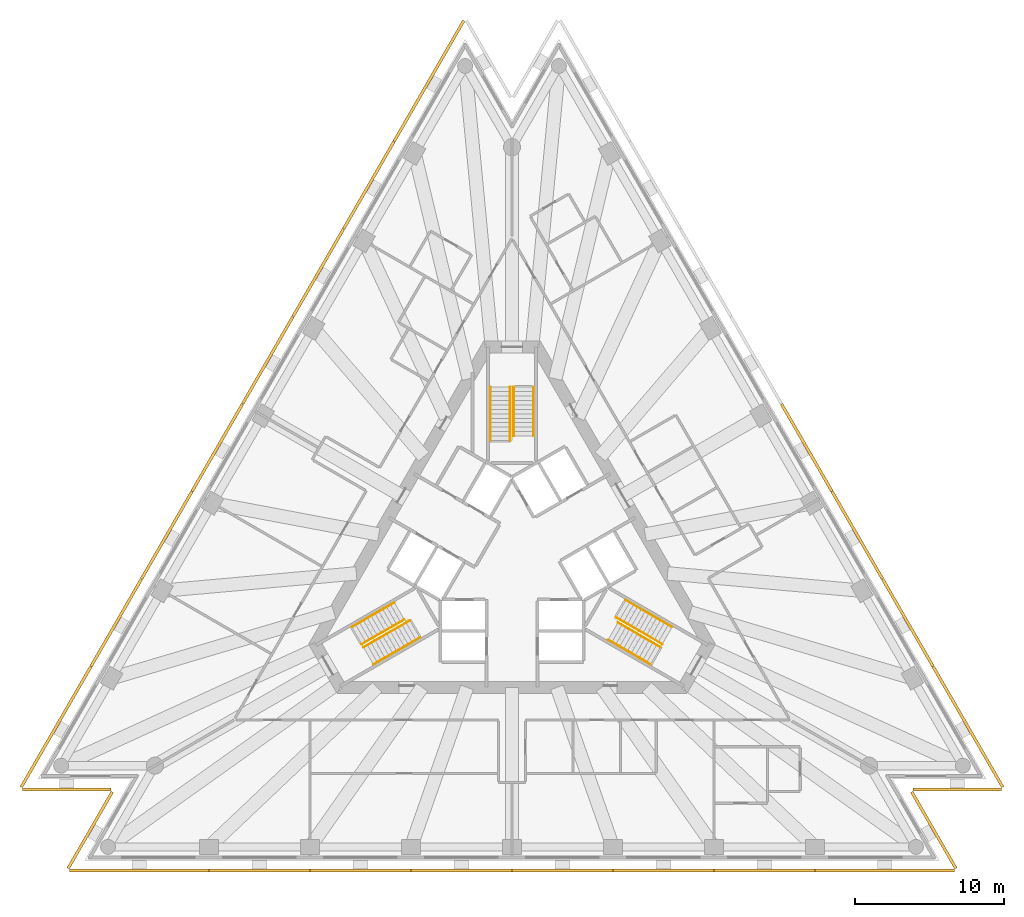
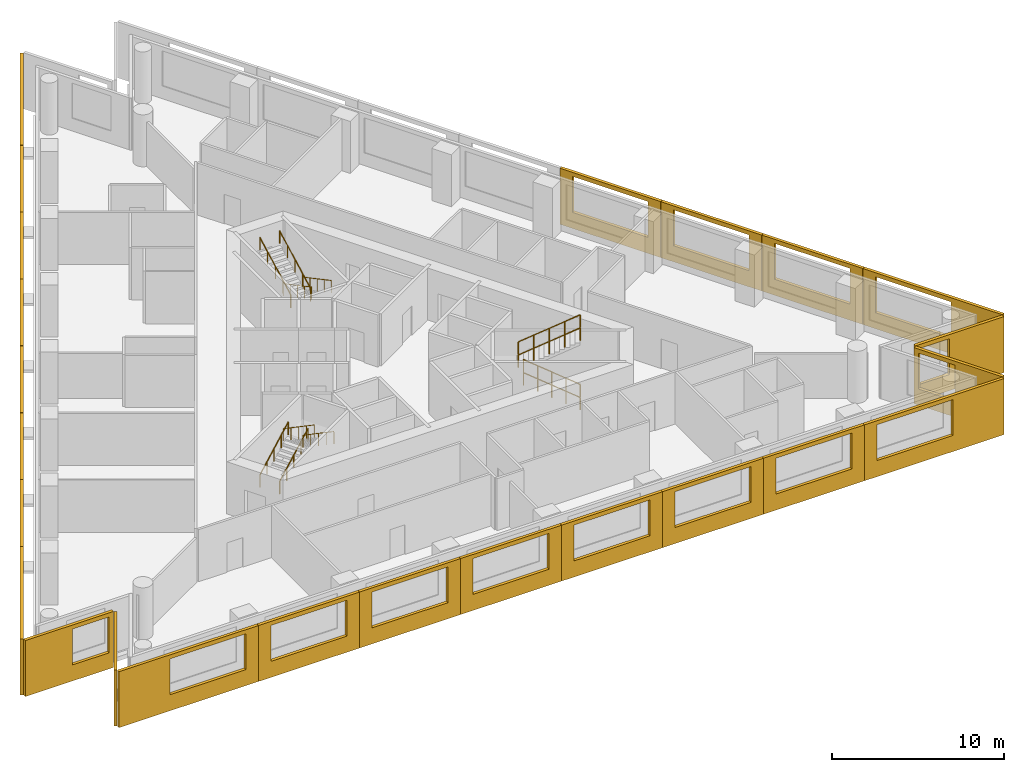
# One storey, part 8 of 9: 24 shading devices, 12 railings, 3 elements without a shape of their own.
"""IFC4 building model written with IfcOpenShell, lengths in metres."""

from ifc_helpers import new_model, si_unit, direction, frame, origin, origin_2d, place, context, subcontext, project, spatial, polyline, circle, outline, extrude, material, layer, layer_set, type_object, element, aggregate, save


model = new_model("IFC4")

# Units and contexts
model_context = context("Model", 3, precision=1e-05, world=origin(), true_north=direction((0.0, 1.0)))
body_context = subcontext(model_context, "Body", "Model", "MODEL_VIEW")
ifc_project = project(units=[si_unit("LENGTHUNIT", "METRE"), si_unit("AREAUNIT", "SQUARE_METRE"), si_unit("VOLUMEUNIT", "CUBIC_METRE"), si_unit("PLANEANGLEUNIT", "RADIAN"), si_unit("MASSUNIT", "GRAM", prefix="KILO")], contexts=[model_context])

# Site, building, storey
site_placement = place(None, origin())
site = spatial("IfcSite", under=ifc_project, at=site_placement, CompositionType="ELEMENT")
building_placement = place(site_placement, origin())
building = spatial("IfcBuilding", under=site, at=building_placement, Name="Triada Interchange Tower", CompositionType="ELEMENT")
storey_placement = place(building_placement, frame((0.0, 0.0, 128.300048828125)))
storey = spatial("IfcBuildingStorey", under=building, at=storey_placement, Name="L29", CompositionType="ELEMENT", Elevation=128.300048828125)

# Shading devices
ifc_material_1 = material(Name="Concrete C50/60 precast", Category="concrete")
ifc_layer_1 = layer(ifc_material_1, 0.02001953125, Name="Exposed aggregate face")
ifc_layer_2 = layer(ifc_material_1, 0.179931640625, Name="Precast concrete screen")
ifc_layer_set = layer_set([ifc_layer_1, ifc_layer_2], Name="Outer skin screen panel 3980")
shading_device_type = type_object("IfcShadingDeviceType", Name="Outer skin screen panel 3980", PredefinedType="SHUTTER", material=ifc_layer_set)
shading_device_1_placement = place(storey_placement, frame((-3.158935546875, 36.19189453125, -0.2900390625), z_axis=(0.0, 0.0, 1.0), x_axis=(-0.500022371132, -0.86601248742, 0.0)))
element("IfcShadingDevice", 1, at=shading_device_1_placement, inside=storey, type_object=shading_device_type, Name="Outer skin screen panel L29 01", PredefinedType="SHUTTER", context=body_context, shape_type="SweptSolid", body=[
    extrude(outline(polyline([(0.0, 0.0), (9.37158203125, 0.0), (9.37158203125, 3.97998046875), (0.0, 3.97998046875), (0.0, 0.0)]), holes=[polyline([(3.4345703125, 1.139892578125), (3.4345703125, 3.68994140625), (8.53466796875, 3.68994140625), (8.53466796875, 1.139892578125), (3.4345703125, 1.139892578125)])]), frame((0.0, 0.0, 0.0), z_axis=(0.0, -1.0, 0.0), x_axis=(1.0, 0.0, 0.0)), (0.0, 0.0, 1.0), 0.199951171875),
])
shading_device_2_placement = place(storey_placement, frame((-7.85498046875, 28.05908203125, -0.2900390625), z_axis=(0.0, 0.0, 1.0), x_axis=(-0.499949141057, -0.866054765218, 0.0)))
element("IfcShadingDevice", 2, at=shading_device_2_placement, inside=storey, type_object=shading_device_type, Name="Outer skin screen panel L29 02", PredefinedType="SHUTTER", context=body_context, shape_type="SweptSolid", body=[
    extrude(outline(polyline([(0.0, 0.0), (6.774658203125, 0.0), (6.774658203125, 3.97998046875), (0.0, 3.97998046875), (0.0, 0.0)]), holes=[polyline([(0.83642578125, 1.139892578125), (0.83642578125, 3.68994140625), (5.9365234375, 3.68994140625), (5.9365234375, 1.139892578125), (0.83642578125, 1.139892578125)])]), frame((0.0, 0.0, 0.0), z_axis=(0.0, -1.0, 0.0), x_axis=(1.0, 0.0, 0.0)), (0.0, 0.0, 1.0), 0.199951171875),
])
shading_device_3_placement = place(storey_placement, frame((-11.251953125, 22.175048828125, -0.2900390625), z_axis=(0.0, 0.0, 1.0), x_axis=(-0.499964745128, -0.866045757238, 0.0)))
element("IfcShadingDevice", 3, at=shading_device_3_placement, inside=storey, type_object=shading_device_type, Name="Outer skin screen panel L29 03", PredefinedType="SHUTTER", context=body_context, shape_type="SweptSolid", body=[
    extrude(outline(polyline([(0.0, 0.0), (6.7744140625, 0.0), (6.7744140625, 3.97998046875), (0.0, 3.97998046875), (0.0, 0.0)]), holes=[polyline([(0.836669921875, 1.139892578125), (0.836669921875, 3.68994140625), (5.9365234375, 3.68994140625), (5.9365234375, 1.139892578125), (0.836669921875, 1.139892578125)])]), frame((0.0, 0.0, 0.0), z_axis=(0.0, -1.0, 0.0), x_axis=(1.0, 0.0, 0.0)), (0.0, 0.0, 1.0), 0.199951171875),
])
shading_device_4_placement = place(storey_placement, frame((-14.64892578125, 16.291015625, -0.2900390625), z_axis=(0.0, 0.0, 1.0), x_axis=(-0.50002716953, -0.866009716881, 0.0)))
element("IfcShadingDevice", 4, at=shading_device_4_placement, inside=storey, type_object=shading_device_type, Name="Outer skin screen panel L29 04", PredefinedType="SHUTTER", context=body_context, shape_type="SweptSolid", body=[
    extrude(outline(polyline([(0.0, 0.0), (6.7734375, 0.0), (6.7734375, 3.97998046875), (0.0, 3.97998046875), (0.0, 0.0)]), holes=[polyline([(0.836669921875, 1.139892578125), (0.836669921875, 3.68994140625), (5.9365234375, 3.68994140625), (5.9365234375, 1.139892578125), (0.836669921875, 1.139892578125)])]), frame((0.0, 0.0, 0.0), z_axis=(0.0, -1.0, 0.0), x_axis=(1.0, 0.0, 0.0)), (0.0, 0.0, 1.0), 0.199951171875),
])
shading_device_5_placement = place(storey_placement, frame((-18.0458984375, 10.406982421875, -0.2900390625), z_axis=(0.0, 0.0, 1.0), x_axis=(-0.500054200212, -0.865994109016, 0.0)))
element("IfcShadingDevice", 5, at=shading_device_5_placement, inside=storey, type_object=shading_device_type, Name="Outer skin screen panel L29 05", PredefinedType="SHUTTER", context=body_context, shape_type="SweptSolid", body=[
    extrude(outline(polyline([(0.0, 0.0), (6.773681640625, 0.0), (6.773681640625, 3.97998046875), (0.0, 3.97998046875), (0.0, 0.0)]), holes=[polyline([(0.836669921875, 1.139892578125), (0.836669921875, 3.68994140625), (5.9365234375, 3.68994140625), (5.9365234375, 1.139892578125), (0.836669921875, 1.139892578125)])]), frame((0.0, 0.0, 0.0), z_axis=(0.0, -1.0, 0.0), x_axis=(1.0, 0.0, 0.0)), (0.0, 0.0, 1.0), 0.199951171875),
])
shading_device_6_placement = place(storey_placement, frame((-21.443115234375, 4.52392578125, -0.2900390625), z_axis=(0.0, 0.0, 1.0), x_axis=(-0.499964745128, -0.866045757238, 0.0)))
element("IfcShadingDevice", 6, at=shading_device_6_placement, inside=storey, type_object=shading_device_type, Name="Outer skin screen panel L29 06", PredefinedType="SHUTTER", context=body_context, shape_type="SweptSolid", body=[
    extrude(outline(polyline([(0.0, 0.0), (6.7744140625, 0.0), (6.7744140625, 3.97998046875), (0.0, 3.97998046875), (0.0, 0.0)]), holes=[polyline([(0.836669921875, 1.139892578125), (0.836669921875, 3.68994140625), (5.9365234375, 3.68994140625), (5.9365234375, 1.139892578125), (0.836669921875, 1.139892578125)])]), frame((0.0, 0.0, 0.0), z_axis=(0.0, -1.0, 0.0), x_axis=(1.0, 0.0, 0.0)), (0.0, 0.0, 1.0), 0.199951171875),
])
shading_device_7_placement = place(storey_placement, frame((-24.840087890625, -1.360107421875, -0.2900390625), z_axis=(0.0, 0.0, 1.0), x_axis=(-0.499964745128, -0.866045757238, 0.0)))
element("IfcShadingDevice", 7, at=shading_device_7_placement, inside=storey, type_object=shading_device_type, Name="Outer skin screen panel L29 07", PredefinedType="SHUTTER", context=body_context, shape_type="SweptSolid", body=[
    extrude(outline(polyline([(0.0, 0.0), (6.7744140625, 0.0), (6.7744140625, 3.97998046875), (0.0, 3.97998046875), (0.0, 0.0)]), holes=[polyline([(0.836669921875, 1.139892578125), (0.836669921875, 3.68994140625), (5.936767578125, 3.68994140625), (5.936767578125, 1.139892578125), (0.836669921875, 1.139892578125)])]), frame((0.0, 0.0, 0.0), z_axis=(0.0, -1.0, 0.0), x_axis=(1.0, 0.0, 0.0)), (0.0, 0.0, 1.0), 0.199951171875),
])
shading_device_8_placement = place(storey_placement, frame((-28.237060546875, -7.243896484375, -0.2900390625), z_axis=(0.0, 0.0, 1.0), x_axis=(-0.500011090606, -0.866019000526, 0.0)))
element("IfcShadingDevice", 8, at=shading_device_8_placement, inside=storey, type_object=shading_device_type, Name="Outer skin screen panel L29 08", PredefinedType="SHUTTER", context=body_context, shape_type="SweptSolid", body=[
    extrude(outline(polyline([(0.0, 0.0), (9.371826171875, 0.0), (9.371826171875, 3.97998046875), (0.0, 3.97998046875), (0.0, 0.0)]), holes=[polyline([(0.836669921875, 1.139892578125), (0.836669921875, 3.68994140625), (5.936767578125, 3.68994140625), (5.936767578125, 1.139892578125), (0.836669921875, 1.139892578125)])]), frame((0.0, 0.0, 0.0), z_axis=(0.0, -1.0, 0.0), x_axis=(1.0, 0.0, 0.0)), (0.0, 0.0, 1.0), 0.199951171875),
])
shading_device_9_placement = place(storey_placement, frame((-32.91796875, -15.368896484375, -0.2900390625), z_axis=(0.0, 0.0, 1.0), x_axis=(1.0, 0.0, 0.0)))
element("IfcShadingDevice", 9, at=shading_device_9_placement, inside=storey, type_object=shading_device_type, Name="Outer skin screen panel L29 09", PredefinedType="SHUTTER", context=body_context, shape_type="SweptSolid", body=[
    extrude(outline(polyline([(0.0, 0.0), (5.94091796875, 0.0), (5.94091796875, 3.97998046875), (0.0, 3.97998046875), (0.0, 0.0)]), holes=[polyline([(3.175048828125, 1.139892578125), (3.175048828125, 3.68994140625), (5.64111328125, 3.68994140625), (5.64111328125, 1.139892578125), (3.175048828125, 1.139892578125)])]), frame((0.0, 0.0, 0.0), z_axis=(0.0, -1.0, 0.0), x_axis=(1.0, 0.0, 0.0)), (0.0, 0.0, 1.0), 0.199951171875),
])
shading_device_10_placement = place(storey_placement, frame((-26.799072265625, -15.677978515625, -0.2900390625), z_axis=(0.0, 0.0, 1.0), x_axis=(-0.499935901642, -0.866062407826, 0.0)))
element("IfcShadingDevice", 10, at=shading_device_10_placement, inside=storey, type_object=shading_device_type, Name="Outer skin screen panel L29 10", PredefinedType="SHUTTER", context=body_context, shape_type="SweptSolid", body=[
    extrude(outline(polyline([(0.0, 0.0), (5.940673828125, 0.0), (5.940673828125, 3.97998046875), (0.0, 3.97998046875), (0.0, 0.0)]), holes=[polyline([(0.300048828125, 1.139892578125), (0.300048828125, 3.68994140625), (2.2578125, 3.68994140625), (2.2578125, 1.139892578125), (0.300048828125, 1.139892578125)])]), frame((0.0, 0.0, 0.0), z_axis=(0.0, -1.0, 0.0), x_axis=(1.0, 0.0, 0.0)), (0.0, 0.0, 1.0), 0.199951171875),
])
shading_device_11_placement = place(storey_placement, frame((-29.763916015625, -20.83203125, -0.2900390625), z_axis=(0.0, 0.0, 1.0), x_axis=(1.0, 0.0, 0.0)))
element("IfcShadingDevice", 11, at=shading_device_11_placement, inside=storey, type_object=shading_device_type, Name="Outer skin screen panel L29 11", PredefinedType="SHUTTER", context=body_context, shape_type="SweptSolid", body=[
    extrude(outline(polyline([(0.0, 0.0), (9.371826171875, 0.0), (9.371826171875, 3.97998046875), (0.0, 3.97998046875), (0.0, 0.0)]), holes=[polyline([(3.43505859375, 1.139892578125), (3.43505859375, 3.68994140625), (8.534912109375, 3.68994140625), (8.534912109375, 1.139892578125), (3.43505859375, 1.139892578125)])]), frame((0.0, 0.0, 0.0), z_axis=(0.0, -1.0, 0.0), x_axis=(1.0, 0.0, 0.0)), (0.0, 0.0, 1.0), 0.199951171875),
])
shading_device_12_placement = place(storey_placement, frame((-20.3720703125, -20.83203125, -0.2900390625), z_axis=(0.0, 0.0, 1.0), x_axis=(1.0, 0.0, 0.0)))
element("IfcShadingDevice", 12, at=shading_device_12_placement, inside=storey, type_object=shading_device_type, Name="Outer skin screen panel L29 12", PredefinedType="SHUTTER", context=body_context, shape_type="SweptSolid", body=[
    extrude(outline(polyline([(0.0, 0.0), (6.774169921875, 0.0), (6.774169921875, 3.97998046875), (0.0, 3.97998046875), (0.0, 0.0)]), holes=[polyline([(0.8369140625, 1.139892578125), (0.8369140625, 3.68994140625), (5.93701171875, 3.68994140625), (5.93701171875, 1.139892578125), (0.8369140625, 1.139892578125)])]), frame((0.0, 0.0, 0.0), z_axis=(0.0, -1.0, 0.0), x_axis=(1.0, 0.0, 0.0)), (0.0, 0.0, 1.0), 0.199951171875),
])
for number, where, z_axis, x_axis, name in (
    (13, (-13.577880859375, -20.83203125, -0.2900390625), (0.0, 0.0, 1.0), (1.0, 0.0, 0.0), "Outer skin screen panel L29 13"),
    (14, (-6.783935546875, -20.83203125, -0.2900390625), (0.0, 0.0, 1.0), (1.0, 0.0, 0.0), "Outer skin screen panel L29 14"),
    (15, (0.010009765625, -20.83203125, -0.2900390625), (0.0, 0.0, 1.0), (1.0, 0.0, 0.0), "Outer skin screen panel L29 15"),
    (16, (6.803955078125, -20.83203125, -0.2900390625), (0.0, 0.0, 1.0), (1.0, 0.0, 0.0), "Outer skin screen panel L29 16"),
):
    element("IfcShadingDevice", number, at=place(storey_placement, frame(where, z_axis=z_axis, x_axis=x_axis)), inside=storey, type_object=shading_device_type, Name=name, PredefinedType="SHUTTER", context=body_context, shape_type="SweptSolid", body=[
        extrude(outline(polyline([(0.0, 0.0), (6.77392578125, 0.0), (6.77392578125, 3.97998046875), (0.0, 3.97998046875), (0.0, 0.0)]), holes=[polyline([(0.8369140625, 1.139892578125), (0.8369140625, 3.68994140625), (5.93701171875, 3.68994140625), (5.93701171875, 1.139892578125), (0.8369140625, 1.139892578125)])]), frame((0.0, 0.0, 0.0), z_axis=(0.0, -1.0, 0.0), x_axis=(1.0, 0.0, 0.0)), (0.0, 0.0, 1.0), 0.199951171875),
    ])
shading_device_13_placement = place(storey_placement, frame((13.597900390625, -20.83203125, -0.2900390625), z_axis=(0.0, 0.0, 1.0), x_axis=(1.0, 0.0, 0.0)))
element("IfcShadingDevice", 17, at=shading_device_13_placement, inside=storey, type_object=shading_device_type, Name="Outer skin screen panel L29 17", PredefinedType="SHUTTER", context=body_context, shape_type="SweptSolid", body=[
    extrude(outline(polyline([(0.0, 0.0), (6.774169921875, 0.0), (6.774169921875, 3.97998046875), (0.0, 3.97998046875), (0.0, 0.0)]), holes=[polyline([(0.8369140625, 1.139892578125), (0.8369140625, 3.68994140625), (5.93701171875, 3.68994140625), (5.93701171875, 1.139892578125), (0.8369140625, 1.139892578125)])]), frame((0.0, 0.0, 0.0), z_axis=(0.0, -1.0, 0.0), x_axis=(1.0, 0.0, 0.0)), (0.0, 0.0, 1.0), 0.199951171875),
])
shading_device_14_placement = place(storey_placement, frame((20.39208984375, -20.83203125, -0.2900390625), z_axis=(0.0, 0.0, 1.0), x_axis=(1.0, 0.0, 0.0)))
element("IfcShadingDevice", 18, at=shading_device_14_placement, inside=storey, type_object=shading_device_type, Name="Outer skin screen panel L29 18", PredefinedType="SHUTTER", context=body_context, shape_type="SweptSolid", body=[
    extrude(outline(polyline([(0.0, 0.0), (9.371826171875, 0.0), (9.371826171875, 3.97998046875), (0.0, 3.97998046875), (0.0, 0.0)]), holes=[polyline([(0.8369140625, 1.139892578125), (0.8369140625, 3.68994140625), (5.93701171875, 3.68994140625), (5.93701171875, 1.139892578125), (0.8369140625, 1.139892578125)])]), frame((0.0, 0.0, 0.0), z_axis=(0.0, -1.0, 0.0), x_axis=(1.0, 0.0, 0.0)), (0.0, 0.0, 1.0), 0.199951171875),
])
shading_device_15_placement = place(storey_placement, frame((29.76904296875, -20.822998046875, -0.2900390625), z_axis=(0.0, 0.0, 1.0), x_axis=(-0.499935901642, 0.866062407826, 0.0)))
element("IfcShadingDevice", 19, at=shading_device_15_placement, inside=storey, type_object=shading_device_type, Name="Outer skin screen panel L29 19", PredefinedType="SHUTTER", context=body_context, shape_type="SweptSolid", body=[
    extrude(outline(polyline([(0.0, 0.0), (5.940673828125, 0.0), (5.940673828125, 3.97998046875), (0.0, 3.97998046875), (0.0, 0.0)]), holes=[polyline([(3.17529296875, 1.139892578125), (3.17529296875, 3.68994140625), (5.641357421875, 3.68994140625), (5.641357421875, 1.139892578125), (3.17529296875, 1.139892578125)])]), frame((0.0, 0.0, 0.0), z_axis=(0.0, -1.0, 0.0), x_axis=(1.0, 0.0, 0.0)), (0.0, 0.0, 1.0), 0.199951171875),
])
shading_device_16_placement = place(storey_placement, frame((26.97705078125, -15.368896484375, -0.2900390625), z_axis=(0.0, 0.0, 1.0), x_axis=(1.0, 0.0, 0.0)))
element("IfcShadingDevice", 20, at=shading_device_16_placement, inside=storey, type_object=shading_device_type, Name="Outer skin screen panel L29 20", PredefinedType="SHUTTER", context=body_context, shape_type="SweptSolid", body=[
    extrude(outline(polyline([(0.0, 0.0), (5.94091796875, 0.0), (5.94091796875, 3.97998046875), (0.0, 3.97998046875), (0.0, 0.0)]), holes=[polyline([(0.300048828125, 1.139892578125), (0.300048828125, 3.68994140625), (2.258056640625, 3.68994140625), (2.258056640625, 1.139892578125), (0.300048828125, 1.139892578125)])]), frame((0.0, 0.0, 0.0), z_axis=(0.0, -1.0, 0.0), x_axis=(1.0, 0.0, 0.0)), (0.0, 0.0, 1.0), 0.199951171875),
])
shading_device_17_placement = place(storey_placement, frame((32.923095703125, -15.360107421875, -0.2900390625), z_axis=(0.0, 0.0, 1.0), x_axis=(-0.500011090606, 0.866019000526, 0.0)))
element("IfcShadingDevice", 21, at=shading_device_17_placement, inside=storey, type_object=shading_device_type, Name="Outer skin screen panel L29 21", PredefinedType="SHUTTER", context=body_context, shape_type="SweptSolid", body=[
    extrude(outline(polyline([(0.0, 0.0), (9.371826171875, 0.0), (9.371826171875, 3.97998046875), (0.0, 3.97998046875), (0.0, 0.0)]), holes=[polyline([(3.435302734375, 1.139892578125), (3.435302734375, 3.68994140625), (8.535400390625, 3.68994140625), (8.535400390625, 1.139892578125), (3.435302734375, 1.139892578125)])]), frame((0.0, 0.0, 0.0), z_axis=(0.0, -1.0, 0.0), x_axis=(1.0, 0.0, 0.0)), (0.0, 0.0, 1.0), 0.199951171875),
])
for number, where, z_axis, x_axis, name in (
    (22, (28.22705078125, -7.22705078125, -0.2900390625), (0.0, 0.0, 1.0), (-0.499964745128, 0.866045757238, 0.0), "Outer skin screen panel L29 22"),
    (23, (24.830078125, -1.343017578125, -0.2900390625), (0.0, 0.0, 1.0), (-0.499964745128, 0.866045757238, 0.0), "Outer skin screen panel L29 23"),
):
    element("IfcShadingDevice", number, at=place(storey_placement, frame(where, z_axis=z_axis, x_axis=x_axis)), inside=storey, type_object=shading_device_type, Name=name, PredefinedType="SHUTTER", context=body_context, shape_type="SweptSolid", body=[
        extrude(outline(polyline([(0.0, 0.0), (6.7744140625, 0.0), (6.7744140625, 3.97998046875), (0.0, 3.97998046875), (0.0, 0.0)]), holes=[polyline([(0.83740234375, 1.139892578125), (0.83740234375, 3.68994140625), (5.937255859375, 3.68994140625), (5.937255859375, 1.139892578125), (0.83740234375, 1.139892578125)])]), frame((0.0, 0.0, 0.0), z_axis=(0.0, -1.0, 0.0), x_axis=(1.0, 0.0, 0.0)), (0.0, 0.0, 1.0), 0.199951171875),
    ])
shading_device_18_placement = place(storey_placement, frame((21.43310546875, 4.541015625, -0.2900390625), z_axis=(0.0, 0.0, 1.0), x_axis=(-0.500054200212, 0.865994109016, 0.0)))
element("IfcShadingDevice", 24, at=shading_device_18_placement, inside=storey, type_object=shading_device_type, Name="Outer skin screen panel L29 24", PredefinedType="SHUTTER", context=body_context, shape_type="SweptSolid", body=[
    extrude(outline(polyline([(0.0, 0.0), (6.773681640625, 0.0), (6.773681640625, 3.97998046875), (0.0, 3.97998046875), (0.0, 0.0)]), holes=[polyline([(0.83740234375, 1.139892578125), (0.83740234375, 3.68994140625), (5.937255859375, 3.68994140625), (5.937255859375, 1.139892578125), (0.83740234375, 1.139892578125)])]), frame((0.0, 0.0, 0.0), z_axis=(0.0, -1.0, 0.0), x_axis=(1.0, 0.0, 0.0)), (0.0, 0.0, 1.0), 0.199951171875),
])

# Stair, railings
ifc_material_2 = material(Name="Concrete C35/45", Category="concrete")
stair_type = type_object("IfcStairType", Name="HALF TURN STAIR 1400", PredefinedType="HALF_TURN_STAIR", material=ifc_material_2)
stair_1_placement = place(storey_placement, origin())
stair_1 = element("IfcStair", 25, at=stair_1_placement, inside=storey, type_object=stair_type, Name="Exit stair S29-1", PredefinedType="HALF_TURN_STAIR")
ifc_material_3 = material(Name="Stainless steel 1.4301", Category="steel")
railing_type = type_object("IfcRailingType", Name="STAIR HANDRAIL 900", PredefinedType="HANDRAIL", material=ifc_material_3)
railing_1_placement = place(storey_placement, frame((1.449951171875, 11.60009765625, 0.159912109375)))
railing_1 = element("IfcRailing", 26, at=railing_1_placement, type_object=railing_type, Name="Handrail S29-1 1W", PredefinedType="HANDRAIL", context=body_context, shape_type="SweptSolid", body=[
    extrude(circle(Radius=0.02392578125, at=origin_2d()), frame((0.0, 0.0, 0.8759765625), z_axis=(0.0, -0.882354748157, 0.47058484719), x_axis=(1.0, 0.0, 0.0)), (0.0, 0.0, 1.0), 3.739990234375),
    extrude(circle(Radius=0.02099609375, at=origin_2d()), origin(), (0.0, 0.0, 1.0), 0.851806640625),
    extrude(circle(Radius=0.02099609375, at=origin_2d()), frame((0.0, -0.824951171875, 0.43994140625)), (0.0, 0.0, 1.0), 0.851806640625),
    extrude(circle(Radius=0.02099609375, at=origin_2d()), frame((0.0, -1.64990234375, 0.8798828125)), (0.0, 0.0, 1.0), 0.851806640625),
    extrude(circle(Radius=0.02099609375, at=origin_2d()), frame((0.0, -2.47509765625, 1.320068359375)), (0.0, 0.0, 1.0), 0.851806640625),
    extrude(circle(Radius=0.02099609375, at=origin_2d()), frame((0.0, -3.300048828125, 1.760009765625)), (0.0, 0.0, 1.0), 0.851806640625),
])
railing_2_placement = place(storey_placement, frame((0.1201171875, 11.60009765625, 0.159912109375)))
railing_2 = element("IfcRailing", 27, at=railing_2_placement, type_object=railing_type, Name="Handrail S29-1 1C", PredefinedType="HANDRAIL", context=body_context, shape_type="SweptSolid", body=[
    extrude(circle(Radius=0.02392578125, at=origin_2d()), frame((0.0, 0.0, 0.8759765625), z_axis=(0.0, -0.882354748157, 0.47058484719), x_axis=(1.0, 0.0, 0.0)), (0.0, 0.0, 1.0), 3.739990234375),
    extrude(circle(Radius=0.02099609375, at=origin_2d()), origin(), (0.0, 0.0, 1.0), 0.851806640625),
    extrude(circle(Radius=0.02099609375, at=origin_2d()), frame((0.0, -0.824951171875, 0.43994140625)), (0.0, 0.0, 1.0), 0.851806640625),
    extrude(circle(Radius=0.02099609375, at=origin_2d()), frame((0.0, -1.64990234375, 0.8798828125)), (0.0, 0.0, 1.0), 0.851806640625),
    extrude(circle(Radius=0.02099609375, at=origin_2d()), frame((0.0, -2.47509765625, 1.320068359375)), (0.0, 0.0, 1.0), 0.851806640625),
    extrude(circle(Radius=0.02099609375, at=origin_2d()), frame((0.0, -3.300048828125, 1.760009765625)), (0.0, 0.0, 1.0), 0.851806640625),
])
railing_3_placement = place(storey_placement, frame((-1.449951171875, 8.0, 2.079833984375)))
railing_3 = element("IfcRailing", 28, at=railing_3_placement, type_object=railing_type, Name="Handrail S29-1 2W", PredefinedType="HANDRAIL", context=body_context, shape_type="SweptSolid", body=[
    extrude(circle(Radius=0.02392578125, at=origin_2d()), frame((0.0, 0.0, 0.8759765625), z_axis=(0.0, 0.882341346394, 0.470609974867), x_axis=(-1.0, 0.0, 0.0)), (0.0, 0.0, 1.0), 4.080078125),
    extrude(circle(Radius=0.02099609375, at=origin_2d()), origin(), (0.0, 0.0, 1.0), 0.851806640625),
    extrude(circle(Radius=0.02099609375, at=origin_2d()), frame((0.0, 0.89990234375, 0.47998046875)), (0.0, 0.0, 1.0), 0.851806640625),
    extrude(circle(Radius=0.02099609375, at=origin_2d()), frame((0.0, 1.800048828125, 0.9599609375)), (0.0, 0.0, 1.0), 0.851806640625),
    extrude(circle(Radius=0.02099609375, at=origin_2d()), frame((0.0, 2.7001953125, 1.440185546875)), (0.0, 0.0, 1.0), 0.851806640625),
    extrude(circle(Radius=0.02099609375, at=origin_2d()), frame((0.0, 3.60009765625, 1.920166015625)), (0.0, 0.0, 1.0), 0.851806640625),
])
railing_4_placement = place(storey_placement, frame((-0.1201171875, 8.0, 2.079833984375)))
railing_4 = element("IfcRailing", 29, at=railing_4_placement, type_object=railing_type, Name="Handrail S29-1 2C", PredefinedType="HANDRAIL", context=body_context, shape_type="SweptSolid", body=[
    extrude(circle(Radius=0.02392578125, at=origin_2d()), frame((0.0, 0.0, 0.8759765625), z_axis=(0.0, 0.882341346394, 0.470609974867), x_axis=(-1.0, 0.0, 0.0)), (0.0, 0.0, 1.0), 4.080078125),
    extrude(circle(Radius=0.02099609375, at=origin_2d()), origin(), (0.0, 0.0, 1.0), 0.851806640625),
    extrude(circle(Radius=0.02099609375, at=origin_2d()), frame((0.0, 0.89990234375, 0.47998046875)), (0.0, 0.0, 1.0), 0.851806640625),
    extrude(circle(Radius=0.02099609375, at=origin_2d()), frame((0.0, 1.800048828125, 0.9599609375)), (0.0, 0.0, 1.0), 0.851806640625),
    extrude(circle(Radius=0.02099609375, at=origin_2d()), frame((0.0, 2.7001953125, 1.440185546875)), (0.0, 0.0, 1.0), 0.851806640625),
    extrude(circle(Radius=0.02099609375, at=origin_2d()), frame((0.0, 3.60009765625, 1.920166015625)), (0.0, 0.0, 1.0), 0.851806640625),
])
aggregate(stair_1, [railing_1, railing_2, railing_3, railing_4])

stair_2_placement = place(storey_placement, origin())
stair_2 = element("IfcStair", 30, at=stair_2_placement, inside=storey, type_object=stair_type, Name="Exit stair S29-2", PredefinedType="HALF_TURN_STAIR")
railing_5_placement = place(storey_placement, frame((-10.77099609375, -4.5439453125, 0.159912109375)))
railing_5 = element("IfcRailing", 31, at=railing_5_placement, type_object=railing_type, Name="Handrail S29-2 1W", PredefinedType="HANDRAIL", context=body_context, shape_type="SweptSolid", body=[
    extrude(circle(Radius=0.02392578125, at=origin_2d()), frame((0.0, 0.0, 0.8759765625), z_axis=(0.764150854273, 0.441152526326, 0.470593158077), x_axis=(-0.499974350878, 0.866040211805, 0.0)), (0.0, 0.0, 1.0), 3.739990234375),
    extrude(circle(Radius=0.02099609375, at=origin_2d()), origin(), (0.0, 0.0, 1.0), 0.851806640625),
    extrude(circle(Radius=0.02099609375, at=origin_2d()), frame((0.71435546875, 0.41259765625, 0.43994140625)), (0.0, 0.0, 1.0), 0.851806640625),
    extrude(circle(Radius=0.02099609375, at=origin_2d()), frame((1.428955078125, 0.824951171875, 0.8798828125)), (0.0, 0.0, 1.0), 0.851806640625),
    extrude(circle(Radius=0.02099609375, at=origin_2d()), frame((2.1435546875, 1.2373046875, 1.320068359375)), (0.0, 0.0, 1.0), 0.851806640625),
    extrude(circle(Radius=0.02099609375, at=origin_2d()), frame((2.85791015625, 1.64990234375, 1.760009765625)), (0.0, 0.0, 1.0), 0.851806640625),
])
railing_6_placement = place(storey_placement, frame((-10.10595703125, -5.696044921875, 0.159912109375)))
railing_6 = element("IfcRailing", 32, at=railing_6_placement, type_object=railing_type, Name="Handrail S29-2 1C", PredefinedType="HANDRAIL", context=body_context, shape_type="SweptSolid", body=[
    extrude(circle(Radius=0.02392578125, at=origin_2d()), frame((0.0, 0.0, 0.8759765625), z_axis=(0.76412884773, 0.441205098395, 0.470579605611), x_axis=(-0.50002983664, 0.866008176907, 0.0)), (0.0, 0.0, 1.0), 3.739990234375),
    extrude(circle(Radius=0.02099609375, at=origin_2d()), origin(), (0.0, 0.0, 1.0), 0.851806640625),
    extrude(circle(Radius=0.02099609375, at=origin_2d()), frame((0.71435546875, 0.41259765625, 0.43994140625)), (0.0, 0.0, 1.0), 0.851806640625),
    extrude(circle(Radius=0.02099609375, at=origin_2d()), frame((1.428955078125, 0.8251953125, 0.8798828125)), (0.0, 0.0, 1.0), 0.851806640625),
    extrude(circle(Radius=0.02099609375, at=origin_2d()), frame((2.1435546875, 1.237548828125, 1.320068359375)), (0.0, 0.0, 1.0), 0.851806640625),
    extrude(circle(Radius=0.02099609375, at=origin_2d()), frame((2.85791015625, 1.650146484375, 1.760009765625)), (0.0, 0.0, 1.0), 0.851806640625),
])
railing_7_placement = place(storey_placement, frame((-6.202880859375, -5.256103515625, 2.079833984375)))
railing_7 = element("IfcRailing", 33, at=railing_7_placement, type_object=railing_type, Name="Handrail S29-2 2W", PredefinedType="HANDRAIL", context=body_context, shape_type="SweptSolid", body=[
    extrude(circle(Radius=0.02392578125, at=origin_2d()), frame((0.0, 0.0, 0.8759765625), z_axis=(-0.764189758314, -0.441090424232, 0.470588196769), x_axis=(0.499902469156, -0.866081705922, 0.0)), (0.0, 0.0, 1.0), 4.080322265625),
    extrude(circle(Radius=0.02099609375, at=origin_2d()), origin(), (0.0, 0.0, 1.0), 0.851806640625),
    extrude(circle(Radius=0.02099609375, at=origin_2d()), frame((-0.779541015625, -0.449951171875, 0.47998046875)), (0.0, 0.0, 1.0), 0.851806640625),
    extrude(circle(Radius=0.02099609375, at=origin_2d()), frame((-1.55908203125, -0.89990234375, 0.9599609375)), (0.0, 0.0, 1.0), 0.851806640625),
    extrude(circle(Radius=0.02099609375, at=origin_2d()), frame((-2.338623046875, -1.349853515625, 1.440185546875)), (0.0, 0.0, 1.0), 0.851806640625),
    extrude(circle(Radius=0.02099609375, at=origin_2d()), frame((-3.1181640625, -1.7998046875, 1.920166015625)), (0.0, 0.0, 1.0), 0.851806640625),
])
railing_8_placement = place(storey_placement, frame((-6.867919921875, -4.10400390625, 2.079833984375)))
railing_8 = element("IfcRailing", 34, at=railing_8_placement, type_object=railing_type, Name="Handrail S29-2 2C", PredefinedType="HANDRAIL", context=body_context, shape_type="SweptSolid", body=[
    extrude(circle(Radius=0.02392578125, at=origin_2d()), frame((0.0, 0.0, 0.8759765625), z_axis=(-0.764169589359, -0.441138614339, 0.470575776723), x_axis=(0.49995333141, -0.866052346231, 0.0)), (0.0, 0.0, 1.0), 4.08056640625),
    extrude(circle(Radius=0.02099609375, at=origin_2d()), origin(), (0.0, 0.0, 1.0), 0.851806640625),
    extrude(circle(Radius=0.02099609375, at=origin_2d()), frame((-0.779541015625, -0.449951171875, 0.47998046875)), (0.0, 0.0, 1.0), 0.851806640625),
    extrude(circle(Radius=0.02099609375, at=origin_2d()), frame((-1.55908203125, -0.89990234375, 0.9599609375)), (0.0, 0.0, 1.0), 0.851806640625),
    extrude(circle(Radius=0.02099609375, at=origin_2d()), frame((-2.338623046875, -1.35009765625, 1.440185546875)), (0.0, 0.0, 1.0), 0.851806640625),
    extrude(circle(Radius=0.02099609375, at=origin_2d()), frame((-3.1181640625, -1.800048828125, 1.920166015625)), (0.0, 0.0, 1.0), 0.851806640625),
])
aggregate(stair_2, [railing_5, railing_6, railing_7, railing_8])

stair_3_placement = place(storey_placement, origin())
stair_3 = element("IfcStair", 35, at=stair_3_placement, inside=storey, type_object=stair_type, Name="Exit stair S29-3", PredefinedType="HALF_TURN_STAIR")
railing_9_placement = place(storey_placement, frame((9.321044921875, -7.055908203125, 0.159912109375)))
railing_9 = element("IfcRailing", 36, at=railing_9_placement, type_object=railing_type, Name="Handrail S29-3 1W", PredefinedType="HANDRAIL", context=body_context, shape_type="SweptSolid", body=[
    extrude(circle(Radius=0.02392578125, at=origin_2d()), frame((0.0, 0.0, 0.8759765625), z_axis=(-0.764178012919, 0.441130521168, 0.470569684388), x_axis=(-0.499942318283, -0.866058703778, 0.0)), (0.0, 0.0, 1.0), 3.740234375),
    extrude(circle(Radius=0.02099609375, at=origin_2d()), origin(), (0.0, 0.0, 1.0), 0.851806640625),
    extrude(circle(Radius=0.02099609375, at=origin_2d()), frame((-0.714599609375, 0.41259765625, 0.43994140625)), (0.0, 0.0, 1.0), 0.851806640625),
    extrude(circle(Radius=0.02099609375, at=origin_2d()), frame((-1.42919921875, 0.824951171875, 0.8798828125)), (0.0, 0.0, 1.0), 0.851806640625),
    extrude(circle(Radius=0.02099609375, at=origin_2d()), frame((-2.1435546875, 1.2373046875, 1.320068359375)), (0.0, 0.0, 1.0), 0.851806640625),
    extrude(circle(Radius=0.02099609375, at=origin_2d()), frame((-2.858154296875, 1.64990234375, 1.760009765625)), (0.0, 0.0, 1.0), 0.851806640625),
])
railing_10_placement = place(storey_placement, frame((9.986083984375, -5.904052734375, 0.159912109375)))
railing_10 = element("IfcRailing", 37, at=railing_10_placement, type_object=railing_type, Name="Handrail S29-3 1C", PredefinedType="HANDRAIL", context=body_context, shape_type="SweptSolid", body=[
    extrude(circle(Radius=0.02392578125, at=origin_2d()), frame((0.0, 0.0, 0.8759765625), z_axis=(-0.764156007789, 0.441183091881, 0.47055613395), x_axis=(-0.49999780286, -0.8660266723, 0.0)), (0.0, 0.0, 1.0), 3.740234375),
    extrude(circle(Radius=0.02099609375, at=origin_2d()), origin(), (0.0, 0.0, 1.0), 0.851806640625),
    extrude(circle(Radius=0.02099609375, at=origin_2d()), frame((-0.714599609375, 0.41259765625, 0.43994140625)), (0.0, 0.0, 1.0), 0.851806640625),
    extrude(circle(Radius=0.02099609375, at=origin_2d()), frame((-1.42919921875, 0.8251953125, 0.8798828125)), (0.0, 0.0, 1.0), 0.851806640625),
    extrude(circle(Radius=0.02099609375, at=origin_2d()), frame((-2.1435546875, 1.237548828125, 1.320068359375)), (0.0, 0.0, 1.0), 0.851806640625),
    extrude(circle(Radius=0.02099609375, at=origin_2d()), frame((-2.858154296875, 1.650146484375, 1.760009765625)), (0.0, 0.0, 1.0), 0.851806640625),
])
railing_11_placement = place(storey_placement, frame((7.653076171875, -2.743896484375, 2.079833984375)))
railing_11 = element("IfcRailing", 38, at=railing_11_placement, type_object=railing_type, Name="Handrail S29-3 2W", PredefinedType="HANDRAIL", context=body_context, shape_type="SweptSolid", body=[
    extrude(circle(Radius=0.02392578125, at=origin_2d()), frame((0.0, 0.0, 0.8759765625), z_axis=(0.76414469501, -0.441158784458, 0.470597292793), x_axis=(0.499982693035, 0.866035395735, 0.0)), (0.0, 0.0, 1.0), 4.080322265625),
    extrude(circle(Radius=0.02099609375, at=origin_2d()), origin(), (0.0, 0.0, 1.0), 0.851806640625),
    extrude(circle(Radius=0.02099609375, at=origin_2d()), frame((0.779541015625, -0.449951171875, 0.47998046875)), (0.0, 0.0, 1.0), 0.851806640625),
    extrude(circle(Radius=0.02099609375, at=origin_2d()), frame((1.55908203125, -0.89990234375, 0.9599609375)), (0.0, 0.0, 1.0), 0.851806640625),
    extrude(circle(Radius=0.02099609375, at=origin_2d()), frame((2.33837890625, -1.35009765625, 1.440185546875)), (0.0, 0.0, 1.0), 0.851806640625),
    extrude(circle(Radius=0.02099609375, at=origin_2d()), frame((3.117919921875, -1.800048828125, 1.920166015625)), (0.0, 0.0, 1.0), 0.851806640625),
])
railing_12_placement = place(storey_placement, frame((6.988037109375, -3.89599609375, 2.079833984375)))
railing_12 = element("IfcRailing", 39, at=railing_12_placement, type_object=railing_type, Name="Handrail S29-3 2C", PredefinedType="HANDRAIL", context=body_context, shape_type="SweptSolid", body=[
    extrude(circle(Radius=0.02392578125, at=origin_2d()), frame((0.0, 0.0, 0.8759765625), z_axis=(0.76414469501, -0.441158784458, 0.470597292793), x_axis=(0.499982693035, 0.866035395735, 0.0)), (0.0, 0.0, 1.0), 4.080322265625),
    extrude(circle(Radius=0.02099609375, at=origin_2d()), origin(), (0.0, 0.0, 1.0), 0.851806640625),
    extrude(circle(Radius=0.02099609375, at=origin_2d()), frame((0.779541015625, -0.449951171875, 0.47998046875)), (0.0, 0.0, 1.0), 0.851806640625),
    extrude(circle(Radius=0.02099609375, at=origin_2d()), frame((1.55908203125, -0.89990234375, 0.9599609375)), (0.0, 0.0, 1.0), 0.851806640625),
    extrude(circle(Radius=0.02099609375, at=origin_2d()), frame((2.33837890625, -1.35009765625, 1.440185546875)), (0.0, 0.0, 1.0), 0.851806640625),
    extrude(circle(Radius=0.02099609375, at=origin_2d()), frame((3.117919921875, -1.800048828125, 1.920166015625)), (0.0, 0.0, 1.0), 0.851806640625),
])
aggregate(stair_3, [railing_9, railing_10, railing_11, railing_12])

save(model, "model.ifc")
